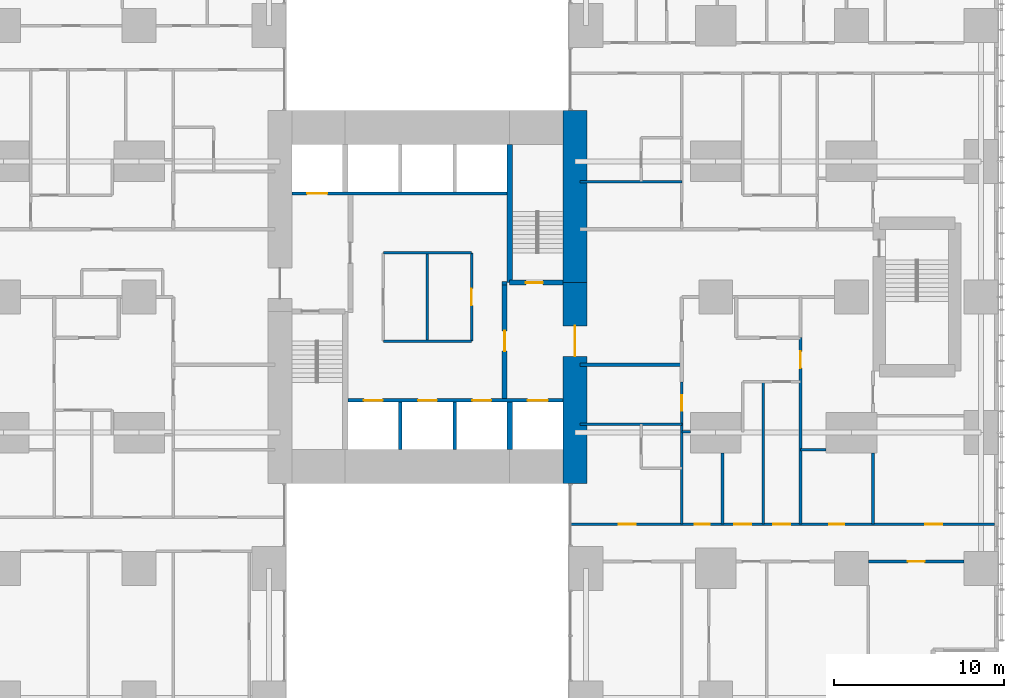
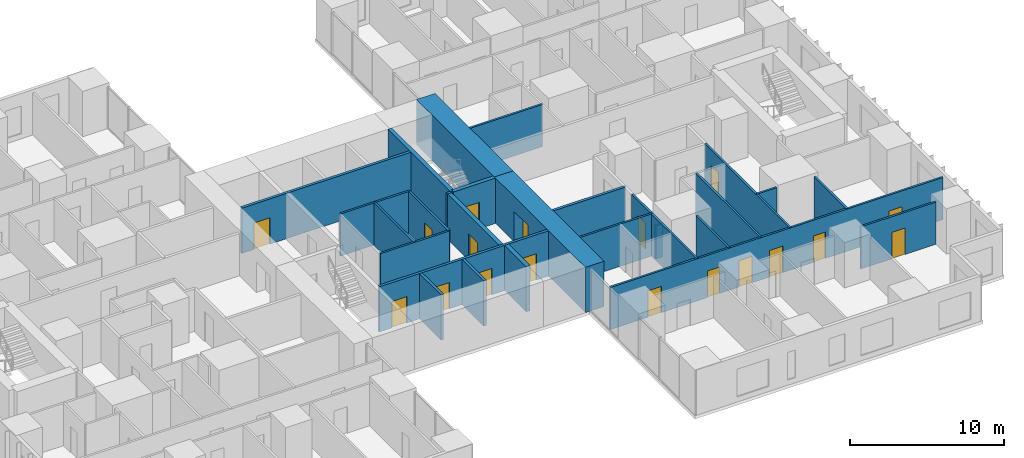
# One storey, part 15 of 20: 27 walls, 18 doors, 18 openings.
"""IFC4 building model written with IfcOpenShell, lengths in metres."""

from ifc_helpers import new_model, si_unit, direction, frame, frame_2d, origin, place, context, subcontext, project, spatial, rectangle, extrude, material, layer, layer_set, type_object, element, fill, save


model = new_model("IFC4")

# Units and contexts
model_context = context("Model", 3, precision=1e-05, world=origin(), true_north=direction((0.0, 1.0)))
body_context = subcontext(model_context, "Body", "Model", "MODEL_VIEW")
ifc_project = project(units=[si_unit("LENGTHUNIT", "METRE"), si_unit("AREAUNIT", "SQUARE_METRE"), si_unit("VOLUMEUNIT", "CUBIC_METRE"), si_unit("PLANEANGLEUNIT", "RADIAN"), si_unit("MASSUNIT", "GRAM", prefix="KILO")], contexts=[model_context])

# Site, building, storey
site_placement = place(None, origin())
site = spatial("IfcSite", under=ifc_project, at=site_placement, CompositionType="ELEMENT")
building_placement = place(site_placement, origin())
building = spatial("IfcBuilding", under=site, at=building_placement, Name="Cleftline Residences", CompositionType="ELEMENT")
storey_placement = place(building_placement, frame((0.0, 0.0, 143.0)))
storey = spatial("IfcBuildingStorey", under=building, at=storey_placement, Name="L37", CompositionType="ELEMENT", Elevation=143.0)

# Wall, opening, door
ifc_material_1 = material(Name="Concrete B70", Category="concrete")
ifc_layer_1 = layer(ifc_material_1, 1.39990234375)
ifc_layer_set_1 = layer_set([ifc_layer_1], Name="CORE WALL 1400")
wall_type_1 = type_object("IfcWallType", Name="CORE WALL 1400", PredefinedType="SHEAR", material=ifc_layer_set_1)
wall_1_placement = place(storey_placement, frame((41.699951171875, 13.0, 0.0), z_axis=(0.0, 0.0, 1.0), x_axis=(0.0, 1.0, 0.0)))
wall_1 = element("IfcWall", 1, at=wall_1_placement, inside=storey, type_object=wall_type_1, Name="Core wall E", PredefinedType="SHEAR", context=body_context, shape_type="SweptSolid", body=[
    extrude(rectangle(XDim=11.85009765625, YDim=1.39990234375, at=frame_2d((5.925048828125, 0.0))), origin(), (0.0, 0.0, 1.0), 3.60009765625),
])
opening_1_placement = place(wall_1_placement, frame((7.5, 0.0, 0.0)))
opening_1 = element("IfcOpeningElement", 2, at=opening_1_placement, cuts=wall_1, Name="Opening D7", PredefinedType="OPENING", context=body_context, shape_type="SweptSolid", body=[
    extrude(rectangle(XDim=1.800048828125, YDim=2.39990234375, at=frame_2d((0.89990234375, 1.199951171875))), frame((0.0, 0.7099609375, 0.0), z_axis=(0.0, -1.0, 0.0), x_axis=(1.0, 0.0, 0.0)), (0.0, 0.0, 1.0), 1.419921875),
])
ifc_material_2 = material(Name="Steel", Category="steel")
door_type_1 = type_object("IfcDoorType", Name="WING DOOR 1800X2400", OperationType="DOUBLE_DOOR_DOUBLE_SWING", PredefinedType="DOOR", material=ifc_material_2)
door_1_placement = place(opening_1_placement, origin())
door_1 = element("IfcDoor", 3, at=door_1_placement, inside=storey, type_object=door_type_1, Name="East wing door", OperationType="DOUBLE_DOOR_DOUBLE_SWING", OverallHeight=2.39990234375, OverallWidth=1.800048828125, PredefinedType="DOOR", context=body_context, shape_type="SweptSolid", body=[
    extrude(rectangle(XDim=1.800048828125, YDim=2.39990234375, at=frame_2d((0.89990234375, 1.199951171875))), frame((0.0, 0.02490234375, 0.0), z_axis=(0.0, -1.0, 0.0), x_axis=(1.0, 0.0, 0.0)), (0.0, 0.0, 1.0), 0.050048828125),
])
fill(opening_1, door_1)

# Walls
wall_2_placement = place(storey_placement, frame((41.699951171875, 24.85009765625, 0.0), z_axis=(0.0, 0.0, 1.0), x_axis=(0.0, 1.0, 0.0)))
element("IfcWall", 4, at=wall_2_placement, inside=storey, type_object=wall_type_1, Name="Core wall E1", PredefinedType="SHEAR", context=body_context, shape_type="SweptSolid", body=[
    extrude(rectangle(XDim=10.14990234375, YDim=1.39990234375, at=frame_2d((5.074951171875, 0.0))), origin(), (0.0, 0.0, 1.0), 3.60009765625),
])
ifc_material_3 = material(Name="Concrete B70", Category="concrete")
ifc_layer_2 = layer(ifc_material_3, 0.300048828125)
ifc_layer_set_2 = layer_set([ifc_layer_2], Name="CORE WALL 300")
wall_type_2 = type_object("IfcWallType", Name="CORE WALL 300", PredefinedType="SHEAR", material=ifc_layer_set_2)
wall_3_placement = place(storey_placement, frame((37.85009765625, 24.85009765625, 0.0), z_axis=(0.0, 0.0, 1.0), x_axis=(0.0, 1.0, 0.0)))
element("IfcWall", 5, at=wall_3_placement, inside=storey, type_object=wall_type_2, Name="Core wall SB-W", PredefinedType="SHEAR", context=body_context, shape_type="SweptSolid", body=[
    extrude(rectangle(XDim=8.14990234375, YDim=0.300048828125, at=frame_2d((4.074951171875, 0.0))), origin(), (0.0, 0.0, 1.0), 3.60009765625),
])

# Wall, opening, door
wall_4_placement = place(storey_placement, frame((37.85009765625, 24.85009765625, 0.0), z_axis=(0.0, 0.0, 1.0), x_axis=(1.0, 0.0, 0.0)))
wall_4 = element("IfcWall", 6, at=wall_4_placement, inside=storey, type_object=wall_type_2, Name="Core wall SB-S", PredefinedType="SHEAR", context=body_context, shape_type="SweptSolid", body=[
    extrude(rectangle(XDim=3.14990234375, YDim=0.300048828125, at=frame_2d((1.574951171875, 0.0))), origin(), (0.0, 0.0, 1.0), 3.60009765625),
])
opening_2_placement = place(wall_4_placement, frame((0.949951171875, 0.0, 0.0)))
opening_2 = element("IfcOpeningElement", 7, at=opening_2_placement, cuts=wall_4, Name="Opening D5", PredefinedType="OPENING", context=body_context, shape_type="SweptSolid", body=[
    extrude(rectangle(XDim=1.0, YDim=2.10009765625, at=frame_2d((0.5, 1.050048828125))), frame((0.0, 0.159912109375, 0.0), z_axis=(0.0, -1.0, 0.0), x_axis=(1.0, 0.0, 0.0)), (0.0, 0.0, 1.0), 0.320068359375),
])
ifc_material_4 = material(Name="Steel", Category="steel")
door_type_2 = type_object("IfcDoorType", Name="STAIR DOOR 1000X2100", OperationType="SINGLE_SWING_LEFT", PredefinedType="DOOR", material=ifc_material_4)
door_2_placement = place(opening_2_placement, origin())
door_2 = element("IfcDoor", 8, at=door_2_placement, inside=storey, type_object=door_type_2, Name="Stair B door", OperationType="SINGLE_SWING_RIGHT", OverallHeight=2.10009765625, OverallWidth=1.0, PredefinedType="DOOR", context=body_context, shape_type="SweptSolid", body=[
    extrude(rectangle(XDim=1.0, YDim=2.10009765625, at=frame_2d((0.5, 1.050048828125))), frame((0.0, 0.02490234375, 0.0), z_axis=(0.0, -1.0, 0.0), x_axis=(1.0, 0.0, 0.0)), (0.0, 0.0, 1.0), 0.050048828125),
])
fill(opening_2, door_2)

# Walls
wall_5_placement = place(storey_placement, frame((37.85009765625, 15.0, 0.0), z_axis=(0.0, 0.0, 1.0), x_axis=(0.0, 1.0, 0.0)))
element("IfcWall", 9, at=wall_5_placement, inside=storey, type_object=wall_type_2, Name="Lift shaft wall", PredefinedType="SHEAR", context=body_context, shape_type="SweptSolid", body=[
    extrude(rectangle(XDim=2.800048828125, YDim=0.300048828125, at=frame_2d((1.39990234375, 0.0))), origin(), (0.0, 0.0, 1.0), 3.60009765625),
])
ifc_material_5 = material(Name="Concrete blockwork, fire rated", Category="masonry")
ifc_layer_3 = layer(ifc_material_5, 0.199951171875)
ifc_layer_set_3 = layer_set([ifc_layer_3], Name="FIRE WALL 200")
wall_type_3 = type_object("IfcWallType", Name="FIRE WALL 200", PredefinedType="PARTITIONING", material=ifc_layer_set_3)
wall_6_placement = place(storey_placement, frame((42.0, 20.0, 0.0), z_axis=(0.0, 0.0, 1.0), x_axis=(1.0, 0.0, 0.0)))
element("IfcWall", 10, at=wall_6_placement, inside=storey, type_object=wall_type_3, Name="Fire separating wall", PredefinedType="PARTITIONING", context=body_context, shape_type="SweptSolid", body=[
    extrude(rectangle(XDim=6.0, YDim=0.199951171875, at=frame_2d((3.0, 0.0))), origin(), (0.0, 0.0, 1.0), 3.35009765625),
])
wall_7_placement = place(storey_placement, frame((37.39990234375, 24.800048828125, 0.0), z_axis=(0.0, 0.0, 1.0), x_axis=(1.0, 0.0, 0.0)))
element("IfcWall", 11, at=wall_7_placement, inside=storey, type_object=wall_type_3, Name="Fire separating wall", PredefinedType="PARTITIONING", context=body_context, shape_type="SweptSolid", body=[
    extrude(rectangle(XDim=0.300048828125, YDim=0.199951171875, at=frame_2d((0.14990234375, 0.0))), origin(), (0.0, 0.0, 1.0), 3.60009765625),
])

# Wall, opening, door
ifc_material_6 = material(Name="Gypsum board on steel studs", Category="steel")
ifc_layer_4 = layer(ifc_material_6, 0.14990234375)
ifc_layer_set_4 = layer_set([ifc_layer_4], Name="PARTITION 150")
wall_type_4 = type_object("IfcWallType", Name="PARTITION 150", PredefinedType="PARTITIONING", material=ifc_layer_set_4)
wall_8_placement = place(storey_placement, frame((59.0, 8.39990234375, 0.0), z_axis=(0.0, 0.0, 1.0), x_axis=(1.0, 0.0, 0.0)))
wall_8 = element("IfcWall", 12, at=wall_8_placement, inside=storey, type_object=wall_type_4, Name="Partition", PredefinedType="PARTITIONING", context=body_context, shape_type="SweptSolid", body=[
    extrude(rectangle(XDim=5.64990234375, YDim=0.14990234375, at=frame_2d((2.824951171875, 0.0))), origin(), (0.0, 0.0, 1.0), 3.35009765625),
])
opening_3_placement = place(wall_8_placement, frame((2.324951171875, 0.0, 0.0)))
opening_3 = element("IfcOpeningElement", 13, at=opening_3_placement, cuts=wall_8, Name="Opening D2", PredefinedType="OPENING", context=body_context, shape_type="SweptSolid", body=[
    extrude(rectangle(XDim=1.0, YDim=2.10009765625, at=frame_2d((0.5, 1.050048828125))), frame((0.0, 0.0849609375, 0.0), z_axis=(0.0, -1.0, 0.0), x_axis=(1.0, 0.0, 0.0)), (0.0, 0.0, 1.0), 0.169921875),
])
ifc_material_7 = material(Name="Timber veneer on solid core", Category="wood")
door_type_3 = type_object("IfcDoorType", Name="DOOR 1000X2100", OperationType="SINGLE_SWING_LEFT", PredefinedType="DOOR", material=ifc_material_7)
door_3_placement = place(opening_3_placement, origin())
door_3 = element("IfcDoor", 14, at=door_3_placement, inside=storey, type_object=door_type_3, Name="Door to music room", OperationType="SINGLE_SWING_LEFT", OverallHeight=2.10009765625, OverallWidth=1.0, PredefinedType="DOOR", context=body_context, shape_type="SweptSolid", body=[
    extrude(rectangle(XDim=1.0, YDim=2.10009765625, at=frame_2d((0.5, 1.050048828125))), frame((0.0, 0.02490234375, 0.0), z_axis=(0.0, -1.0, 0.0), x_axis=(1.0, 0.0, 0.0)), (0.0, 0.0, 1.0), 0.050048828125),
])
fill(opening_3, door_3)

# Wall, openings, doors
wall_9_placement = place(storey_placement, frame((41.43896484375, 10.60009765625, 0.0), z_axis=(0.0, 0.0, 1.0), x_axis=(1.0, 0.0, 0.0)))
wall_9 = element("IfcWall", 15, at=wall_9_placement, inside=storey, type_object=wall_type_4, Name="Partition", PredefinedType="PARTITIONING", context=body_context, shape_type="SweptSolid", body=[
    extrude(rectangle(XDim=25.010986328125, YDim=0.14990234375, at=frame_2d((12.50537109375, 0.0))), origin(), (0.0, 0.0, 1.0), 3.35009765625),
])
opening_4_placement = place(wall_9_placement, frame((11.9609375, 0.0, 0.0)))
opening_4 = element("IfcOpeningElement", 16, at=opening_4_placement, cuts=wall_9, Name="Opening D2", PredefinedType="OPENING", context=body_context, shape_type="SweptSolid", body=[
    extrude(rectangle(XDim=1.0, YDim=2.10009765625, at=frame_2d((0.5, 1.050048828125))), frame((0.0, 0.0849609375, 0.0), z_axis=(0.0, -1.0, 0.0), x_axis=(1.0, 0.0, 0.0)), (0.0, 0.0, 1.0), 0.169921875),
])
opening_5_placement = place(wall_9_placement, frame((20.923583984375, 0.0, 0.0)))
opening_5 = element("IfcOpeningElement", 17, at=opening_5_placement, cuts=wall_9, Name="Opening D2", PredefinedType="OPENING", context=body_context, shape_type="SweptSolid", body=[
    extrude(rectangle(XDim=1.0, YDim=2.10009765625, at=frame_2d((0.5, 1.050048828125))), frame((0.0, 0.0849609375, 0.0), z_axis=(0.0, -1.0, 0.0), x_axis=(1.0, 0.0, 0.0)), (0.0, 0.0, 1.0), 0.169921875),
])
opening_6_placement = place(wall_9_placement, frame((15.24853515625, 0.0, 0.0)))
opening_6 = element("IfcOpeningElement", 18, at=opening_6_placement, cuts=wall_9, Name="Opening D1", PredefinedType="OPENING", context=body_context, shape_type="SweptSolid", body=[
    extrude(rectangle(XDim=0.89990234375, YDim=2.10009765625, at=frame_2d((0.449951171875, 1.050048828125))), frame((0.0, 0.0849609375, 0.0), z_axis=(0.0, -1.0, 0.0), x_axis=(1.0, 0.0, 0.0)), (0.0, 0.0, 1.0), 0.169921875),
])
opening_7_placement = place(wall_9_placement, frame((9.660888671875, 0.0, 0.0)))
opening_7 = element("IfcOpeningElement", 19, at=opening_7_placement, cuts=wall_9, Name="Opening D2", PredefinedType="OPENING", context=body_context, shape_type="SweptSolid", body=[
    extrude(rectangle(XDim=1.0, YDim=2.10009765625, at=frame_2d((0.5, 1.050048828125))), frame((0.0, 0.0849609375, 0.0), z_axis=(0.0, -1.0, 0.0), x_axis=(1.0, 0.0, 0.0)), (0.0, 0.0, 1.0), 0.169921875),
])
opening_8_placement = place(wall_9_placement, frame((7.31103515625, 0.0, 0.0)))
opening_8 = element("IfcOpeningElement", 20, at=opening_8_placement, cuts=wall_9, Name="Opening D1", PredefinedType="OPENING", context=body_context, shape_type="SweptSolid", body=[
    extrude(rectangle(XDim=0.89990234375, YDim=2.10009765625, at=frame_2d((0.449951171875, 1.050048828125))), frame((0.0, 0.0849609375, 0.0), z_axis=(0.0, -1.0, 0.0), x_axis=(1.0, 0.0, 0.0)), (0.0, 0.0, 1.0), 0.169921875),
])
opening_9_placement = place(wall_9_placement, frame((2.8359375, 0.0, 0.0)))
opening_9 = element("IfcOpeningElement", 21, at=opening_9_placement, cuts=wall_9, Name="Opening D2", PredefinedType="OPENING", context=body_context, shape_type="SweptSolid", body=[
    extrude(rectangle(XDim=1.0, YDim=2.10009765625, at=frame_2d((0.5, 1.050048828125))), frame((0.0, 0.0849609375, 0.0), z_axis=(0.0, -1.0, 0.0), x_axis=(1.0, 0.0, 0.0)), (0.0, 0.0, 1.0), 0.169921875),
])
door_4_placement = place(opening_4_placement, origin())
door_4 = element("IfcDoor", 22, at=door_4_placement, inside=storey, type_object=door_type_3, Name="Door to residence hall", OperationType="SINGLE_SWING_RIGHT", OverallHeight=2.10009765625, OverallWidth=1.0, PredefinedType="DOOR", context=body_context, shape_type="SweptSolid", body=[
    extrude(rectangle(XDim=1.0, YDim=2.10009765625, at=frame_2d((0.5, 1.050048828125))), frame((0.0, 0.02490234375, 0.0), z_axis=(0.0, -1.0, 0.0), x_axis=(1.0, 0.0, 0.0)), (0.0, 0.0, 1.0), 0.050048828125),
])
fill(opening_4, door_4)
door_5_placement = place(opening_5_placement, origin())
door_5 = element("IfcDoor", 23, at=door_5_placement, inside=storey, type_object=door_type_3, Name="Door to sea-view great room", OperationType="SINGLE_SWING_LEFT", OverallHeight=2.10009765625, OverallWidth=1.0, PredefinedType="DOOR", context=body_context, shape_type="SweptSolid", body=[
    extrude(rectangle(XDim=1.0, YDim=2.10009765625, at=frame_2d((0.5, 1.050048828125))), frame((0.0, 0.02490234375, 0.0), z_axis=(0.0, -1.0, 0.0), x_axis=(1.0, 0.0, 0.0)), (0.0, 0.0, 1.0), 0.050048828125),
])
fill(opening_5, door_5)
door_6_placement = place(opening_7_placement, origin())
door_6 = element("IfcDoor", 24, at=door_6_placement, inside=storey, type_object=door_type_3, Name="Door to wet kitchen", OperationType="SINGLE_SWING_RIGHT", OverallHeight=2.10009765625, OverallWidth=1.0, PredefinedType="DOOR", context=body_context, shape_type="SweptSolid", body=[
    extrude(rectangle(XDim=1.0, YDim=2.10009765625, at=frame_2d((0.5, 1.050048828125))), frame((0.0, 0.02490234375, 0.0), z_axis=(0.0, -1.0, 0.0), x_axis=(1.0, 0.0, 0.0)), (0.0, 0.0, 1.0), 0.050048828125),
])
fill(opening_7, door_6)
door_7_placement = place(opening_9_placement, origin())
door_7 = element("IfcDoor", 25, at=door_7_placement, inside=storey, type_object=door_type_3, Name="Door to staff bedroom", OperationType="SINGLE_SWING_RIGHT", OverallHeight=2.10009765625, OverallWidth=1.0, PredefinedType="DOOR", context=body_context, shape_type="SweptSolid", body=[
    extrude(rectangle(XDim=1.0, YDim=2.10009765625, at=frame_2d((0.5, 1.050048828125))), frame((0.0, 0.02490234375, 0.0), z_axis=(0.0, -1.0, 0.0), x_axis=(1.0, 0.0, 0.0)), (0.0, 0.0, 1.0), 0.050048828125),
])
fill(opening_9, door_7)
ifc_material_8 = material(Name="Timber veneer on solid core", Category="wood")
door_type_4 = type_object("IfcDoorType", Name="DOOR 900X2100", OperationType="SINGLE_SWING_LEFT", PredefinedType="DOOR", material=ifc_material_8)
door_8_placement = place(opening_6_placement, origin())
door_8 = element("IfcDoor", 26, at=door_8_placement, inside=storey, type_object=door_type_4, Name="Door to wine room", OperationType="SINGLE_SWING_LEFT", OverallHeight=2.10009765625, OverallWidth=0.89990234375, PredefinedType="DOOR", context=body_context, shape_type="SweptSolid", body=[
    extrude(rectangle(XDim=0.89990234375, YDim=2.10009765625, at=frame_2d((0.449951171875, 1.050048828125))), frame((0.0, 0.02490234375, 0.0), z_axis=(0.0, -1.0, 0.0), x_axis=(1.0, 0.0, 0.0)), (0.0, 0.0, 1.0), 0.050048828125),
])
fill(opening_6, door_8)
door_9_placement = place(opening_8_placement, origin())
door_9 = element("IfcDoor", 27, at=door_9_placement, inside=storey, type_object=door_type_4, Name="Door to pantry", OperationType="SINGLE_SWING_RIGHT", OverallHeight=2.10009765625, OverallWidth=0.89990234375, PredefinedType="DOOR", context=body_context, shape_type="SweptSolid", body=[
    extrude(rectangle(XDim=0.89990234375, YDim=2.10009765625, at=frame_2d((0.449951171875, 1.050048828125))), frame((0.0, 0.02490234375, 0.0), z_axis=(0.0, -1.0, 0.0), x_axis=(1.0, 0.0, 0.0)), (0.0, 0.0, 1.0), 0.050048828125),
])
fill(opening_8, door_9)

# Walls
wall_10_placement = place(storey_placement, frame((55.0, 15.0, 0.0), z_axis=(0.0, 0.0, 1.0), x_axis=(1.0, 0.0, 0.0)))
element("IfcWall", 28, at=wall_10_placement, inside=storey, type_object=wall_type_4, Name="Partition", PredefinedType="PARTITIONING", context=body_context, shape_type="SweptSolid", body=[
    extrude(rectangle(XDim=1.5, YDim=0.14990234375, at=frame_2d((0.75, 0.0))), origin(), (0.0, 0.0, 1.0), 3.35009765625),
])
wall_11_placement = place(storey_placement, frame((48.0, 16.050048828125, 0.0), z_axis=(0.0, 0.0, 1.0), x_axis=(1.0, 0.0, 0.0)))
element("IfcWall", 29, at=wall_11_placement, inside=storey, type_object=wall_type_4, Name="Partition", PredefinedType="PARTITIONING", context=body_context, shape_type="SweptSolid", body=[
    extrude(rectangle(XDim=0.5, YDim=0.14990234375, at=frame_2d((0.25, 0.0))), origin(), (0.0, 0.0, 1.0), 2.634033203125),
])
for number, where, z_axis, x_axis, name in (
    (30, (42.0, 16.5, 0.0), (0.0, 0.0, 1.0), (1.0, 0.0, 0.0), "Partition"),
    (31, (42.0, 30.800048828125, 0.0), (0.0, 0.0, 1.0), (1.0, 0.0, 0.0), "Partition"),
):
    element("IfcWall", number, at=place(storey_placement, frame(where, z_axis=z_axis, x_axis=x_axis)), inside=storey, type_object=wall_type_4, Name=name, PredefinedType="PARTITIONING", context=body_context, shape_type="SweptSolid", body=[
        extrude(rectangle(XDim=6.0, YDim=0.14990234375, at=frame_2d((3.0, 0.0))), origin(), (0.0, 0.0, 1.0), 3.35009765625),
    ])

# Wall, opening, door
wall_12_placement = place(storey_placement, frame((48.0, 10.60009765625, 0.0), z_axis=(0.0, 0.0, 1.0), x_axis=(0.0, 1.0, 0.0)))
wall_12 = element("IfcWall", 32, at=wall_12_placement, inside=storey, type_object=wall_type_4, Name="Partition", PredefinedType="PARTITIONING", context=body_context, shape_type="SweptSolid", body=[
    extrude(rectangle(XDim=8.39990234375, YDim=0.14990234375, at=frame_2d((4.199951171875, 0.0))), origin(), (0.0, 0.0, 1.0), 3.35009765625),
])
opening_10_placement = place(wall_12_placement, frame((6.699951171875, 0.0, 0.0)))
opening_10 = element("IfcOpeningElement", 33, at=opening_10_placement, cuts=wall_12, Name="Opening D1", PredefinedType="OPENING", context=body_context, shape_type="SweptSolid", body=[
    extrude(rectangle(XDim=0.89990234375, YDim=2.10009765625, at=frame_2d((0.449951171875, 1.050048828125))), frame((0.0, 0.0849609375, 0.0), z_axis=(0.0, -1.0, 0.0), x_axis=(1.0, 0.0, 0.0)), (0.0, 0.0, 1.0), 0.169921875),
])
door_10_placement = place(opening_10_placement, origin())
door_10 = element("IfcDoor", 34, at=door_10_placement, inside=storey, type_object=door_type_4, Name="Door to drying loggia", OperationType="SINGLE_SWING_LEFT", OverallHeight=2.10009765625, OverallWidth=0.89990234375, PredefinedType="DOOR", context=body_context, shape_type="SweptSolid", body=[
    extrude(rectangle(XDim=0.89990234375, YDim=2.10009765625, at=frame_2d((0.449951171875, 1.050048828125))), frame((0.0, 0.02490234375, 0.0), z_axis=(0.0, -1.0, 0.0), x_axis=(1.0, 0.0, 0.0)), (0.0, 0.0, 1.0), 0.050048828125),
])
fill(opening_10, door_10)

# Walls
wall_13_placement = place(storey_placement, frame((50.39990234375, 10.60009765625, 0.0), z_axis=(0.0, 0.0, 1.0), x_axis=(0.0, 1.0, 0.0)))
element("IfcWall", 35, at=wall_13_placement, inside=storey, type_object=wall_type_4, Name="Partition", PredefinedType="PARTITIONING", context=body_context, shape_type="SweptSolid", body=[
    extrude(rectangle(XDim=4.199951171875, YDim=0.14990234375, at=frame_2d((2.10009765625, 0.0))), origin(), (0.0, 0.0, 1.0), 3.35009765625),
])
wall_14_placement = place(storey_placement, frame((52.800048828125, 10.60009765625, 0.0), z_axis=(0.0, 0.0, 1.0), x_axis=(0.0, 1.0, 0.0)))
element("IfcWall", 36, at=wall_14_placement, inside=storey, type_object=wall_type_4, Name="Partition", PredefinedType="PARTITIONING", context=body_context, shape_type="SweptSolid", body=[
    extrude(rectangle(XDim=8.39990234375, YDim=0.14990234375, at=frame_2d((4.199951171875, 0.0))), origin(), (0.0, 0.0, 1.0), 3.35009765625),
])

# Wall, opening, door
wall_15_placement = place(storey_placement, frame((55.0, 10.60009765625, 0.0), z_axis=(0.0, 0.0, 1.0), x_axis=(0.0, 1.0, 0.0)))
wall_15 = element("IfcWall", 37, at=wall_15_placement, inside=storey, type_object=wall_type_4, Name="Partition", PredefinedType="PARTITIONING", context=body_context, shape_type="SweptSolid", body=[
    extrude(rectangle(XDim=11.0, YDim=0.14990234375, at=frame_2d((5.5, 0.0))), origin(), (0.0, 0.0, 1.0), 3.35009765625),
])
opening_11_placement = place(wall_15_placement, frame((9.199951171875, 0.0, 0.0)))
opening_11 = element("IfcOpeningElement", 38, at=opening_11_placement, cuts=wall_15, Name="Opening D2F30", PredefinedType="OPENING", context=body_context, shape_type="SweptSolid", body=[
    extrude(rectangle(XDim=1.0, YDim=2.10009765625, at=frame_2d((0.5, 1.050048828125))), frame((0.0, 0.0849609375, 0.0), z_axis=(0.0, -1.0, 0.0), x_axis=(1.0, 0.0, 0.0)), (0.0, 0.0, 1.0), 0.169921875),
])
ifc_material_9 = material(Name="Timber veneer on solid core", Category="wood")
door_type_5 = type_object("IfcDoorType", Name="DOOR 1000X2100 EI 30", OperationType="SINGLE_SWING_LEFT", PredefinedType="DOOR", material=ifc_material_9)
door_11_placement = place(opening_11_placement, origin())
door_11 = element("IfcDoor", 39, at=door_11_placement, inside=storey, type_object=door_type_5, Name="Door to residence lobby", OperationType="SINGLE_SWING_LEFT", OverallHeight=2.10009765625, OverallWidth=1.0, PredefinedType="DOOR", context=body_context, shape_type="SweptSolid", body=[
    extrude(rectangle(XDim=1.0, YDim=2.10009765625, at=frame_2d((0.5, 1.050048828125))), frame((0.0, 0.02490234375, 0.0), z_axis=(0.0, -1.0, 0.0), x_axis=(1.0, 0.0, 0.0)), (0.0, 0.0, 1.0), 0.050048828125),
])
fill(opening_11, door_11)

# Walls
wall_16_placement = place(storey_placement, frame((59.27490234375, 10.60009765625, 0.0), z_axis=(0.0, 0.0, 1.0), x_axis=(0.0, 1.0, 0.0)))
element("IfcWall", 40, at=wall_16_placement, inside=storey, type_object=wall_type_4, Name="Partition", PredefinedType="PARTITIONING", context=body_context, shape_type="SweptSolid", body=[
    extrude(rectangle(XDim=4.199951171875, YDim=0.14990234375, at=frame_2d((2.10009765625, 0.0))), origin(), (0.0, 0.0, 1.0), 3.35009765625),
])
ifc_material_10 = material(Name="Fire-resisting gypsum board on steel studs", Category="steel")
ifc_layer_5 = layer(ifc_material_10, 0.14990234375)
ifc_layer_set_5 = layer_set([ifc_layer_5], Name="PARTITION 150 EI 60")
wall_type_5 = type_object("IfcWallType", Name="PARTITION 150 EI 60", PredefinedType="PARTITIONING", material=ifc_layer_set_5)
for number, where, z_axis, x_axis, name in (
    (41, (30.39990234375, 21.39990234375, 0.0), (0.0, 0.0, 1.0), (1.0, 0.0, 0.0), "Core room partition"),
    (42, (30.39990234375, 26.60009765625, 0.0), (0.0, 0.0, 1.0), (1.0, 0.0, 0.0), "Core room partition"),
):
    element("IfcWall", number, at=place(storey_placement, frame(where, z_axis=z_axis, x_axis=x_axis)), inside=storey, type_object=wall_type_5, Name=name, PredefinedType="PARTITIONING", context=body_context, shape_type="SweptSolid", body=[
        extrude(rectangle(XDim=5.2001953125, YDim=0.14990234375, at=frame_2d((2.60009765625, 0.0))), origin(), (0.0, 0.0, 1.0), 3.35009765625),
    ])

# Wall, opening, door
wall_17_placement = place(storey_placement, frame((35.60009765625, 21.39990234375, 0.0), z_axis=(0.0, 0.0, 1.0), x_axis=(0.0, 1.0, 0.0)))
wall_17 = element("IfcWall", 43, at=wall_17_placement, inside=storey, type_object=wall_type_5, Name="Core room partition", PredefinedType="PARTITIONING", context=body_context, shape_type="SweptSolid", body=[
    extrude(rectangle(XDim=5.2001953125, YDim=0.14990234375, at=frame_2d((2.60009765625, 0.0))), origin(), (0.0, 0.0, 1.0), 3.35009765625),
])
opening_12_placement = place(wall_17_placement, frame((2.10009765625, 0.0, 0.0)))
opening_12 = element("IfcOpeningElement", 44, at=opening_12_placement, cuts=wall_17, Name="Opening D2F60", PredefinedType="OPENING", context=body_context, shape_type="SweptSolid", body=[
    extrude(rectangle(XDim=1.0, YDim=2.10009765625, at=frame_2d((0.5, 1.050048828125))), frame((0.0, 0.0849609375, 0.0), z_axis=(0.0, -1.0, 0.0), x_axis=(1.0, 0.0, 0.0)), (0.0, 0.0, 1.0), 0.169921875),
])
ifc_material_11 = material(Name="Timber veneer on solid core", Category="wood")
door_type_6 = type_object("IfcDoorType", Name="DOOR 1000X2100 EI 60", OperationType="SINGLE_SWING_LEFT", PredefinedType="DOOR", material=ifc_material_11)
door_12_placement = place(opening_12_placement, origin())
door_12 = element("IfcDoor", 45, at=door_12_placement, inside=storey, type_object=door_type_6, Name="Door to communications room", OperationType="SINGLE_SWING_LEFT", OverallHeight=2.10009765625, OverallWidth=1.0, PredefinedType="DOOR", context=body_context, shape_type="SweptSolid", body=[
    extrude(rectangle(XDim=1.0, YDim=2.10009765625, at=frame_2d((0.5, 1.050048828125))), frame((0.0, 0.02490234375, 0.0), z_axis=(0.0, -1.0, 0.0), x_axis=(1.0, 0.0, 0.0)), (0.0, 0.0, 1.0), 0.050048828125),
])
fill(opening_12, door_12)

# Wall
wall_18_placement = place(storey_placement, frame((33.0, 21.39990234375, 0.0), z_axis=(0.0, 0.0, 1.0), x_axis=(0.0, 1.0, 0.0)))
element("IfcWall", 46, at=wall_18_placement, inside=storey, type_object=wall_type_5, Name="Core room partition", PredefinedType="PARTITIONING", context=body_context, shape_type="SweptSolid", body=[
    extrude(rectangle(XDim=5.2001953125, YDim=0.14990234375, at=frame_2d((2.60009765625, 0.0))), origin(), (0.0, 0.0, 1.0), 3.35009765625),
])

# Wall, openings, doors
ifc_material_12 = material(Name="Concrete blockwork, fire rated", Category="masonry")
ifc_layer_6 = layer(ifc_material_12, 0.199951171875)
ifc_layer_set_6 = layer_set([ifc_layer_6], Name="SHAFT WALL 200")
wall_type_6 = type_object("IfcWallType", Name="SHAFT WALL 200", PredefinedType="PARTITIONING", material=ifc_layer_set_6)
wall_19_placement = place(storey_placement, frame((28.300048828125, 17.89990234375, 0.0), z_axis=(0.0, 0.0, 1.0), x_axis=(1.0, 0.0, 0.0)))
wall_19 = element("IfcWall", 47, at=wall_19_placement, inside=storey, type_object=wall_type_6, Name="Lift shaft wall", PredefinedType="PARTITIONING", context=body_context, shape_type="SweptSolid", body=[
    extrude(rectangle(XDim=12.699951171875, YDim=0.199951171875, at=frame_2d((6.35009765625, 0.0))), origin(), (0.0, 0.0, 1.0), 3.60009765625),
])
opening_13_placement = place(wall_19_placement, frame((0.949951171875, 0.0, 0.0)))
opening_13 = element("IfcOpeningElement", 48, at=opening_13_placement, cuts=wall_19, Name="Opening LD1", PredefinedType="OPENING", context=body_context, shape_type="SweptSolid", body=[
    extrude(rectangle(XDim=1.10009765625, YDim=2.10009765625, at=frame_2d((0.550048828125, 1.050048828125))), frame((0.0, 0.10986328125, 0.0), z_axis=(0.0, -1.0, 0.0), x_axis=(1.0, 0.0, 0.0)), (0.0, 0.0, 1.0), 0.219970703125),
])
opening_14_placement = place(wall_19_placement, frame((4.14990234375, 0.0, 0.0)))
opening_14 = element("IfcOpeningElement", 49, at=opening_14_placement, cuts=wall_19, Name="Opening LD1", PredefinedType="OPENING", context=body_context, shape_type="SweptSolid", body=[
    extrude(rectangle(XDim=1.10009765625, YDim=2.10009765625, at=frame_2d((0.550048828125, 1.050048828125))), frame((0.0, 0.10986328125, 0.0), z_axis=(0.0, -1.0, 0.0), x_axis=(1.0, 0.0, 0.0)), (0.0, 0.0, 1.0), 0.219970703125),
])
opening_15_placement = place(wall_19_placement, frame((7.35009765625, 0.0, 0.0)))
opening_15 = element("IfcOpeningElement", 50, at=opening_15_placement, cuts=wall_19, Name="Opening LD1", PredefinedType="OPENING", context=body_context, shape_type="SweptSolid", body=[
    extrude(rectangle(XDim=1.10009765625, YDim=2.10009765625, at=frame_2d((0.550048828125, 1.050048828125))), frame((0.0, 0.10986328125, 0.0), z_axis=(0.0, -1.0, 0.0), x_axis=(1.0, 0.0, 0.0)), (0.0, 0.0, 1.0), 0.219970703125),
])
opening_16_placement = place(wall_19_placement, frame((10.60009765625, 0.0, 0.0)))
opening_16 = element("IfcOpeningElement", 51, at=opening_16_placement, cuts=wall_19, Name="Opening LD2", PredefinedType="OPENING", context=body_context, shape_type="SweptSolid", body=[
    extrude(rectangle(XDim=1.199951171875, YDim=2.10009765625, at=frame_2d((0.60009765625, 1.050048828125))), frame((0.0, 0.10986328125, 0.0), z_axis=(0.0, -1.0, 0.0), x_axis=(1.0, 0.0, 0.0)), (0.0, 0.0, 1.0), 0.219970703125),
])
ifc_material_13 = material(Name="Steel", Category="steel")
door_type_7 = type_object("IfcDoorType", Name="FIREFIGHTING LIFT LANDING DOOR 1200X2100", OperationType="SLIDING_TO_LEFT", PredefinedType="DOOR", material=ifc_material_13)
door_13_placement = place(opening_16_placement, origin())
door_13 = element("IfcDoor", 52, at=door_13_placement, inside=storey, type_object=door_type_7, Name="Lift FL2 landing door", OperationType="SLIDING_TO_LEFT", OverallHeight=2.10009765625, OverallWidth=1.199951171875, PredefinedType="DOOR", context=body_context, shape_type="SweptSolid", body=[
    extrude(rectangle(XDim=1.199951171875, YDim=2.10009765625, at=frame_2d((0.60009765625, 1.050048828125))), frame((0.0, 0.02490234375, 0.0), z_axis=(0.0, -1.0, 0.0), x_axis=(1.0, 0.0, 0.0)), (0.0, 0.0, 1.0), 0.050048828125),
])
fill(opening_16, door_13)
ifc_material_14 = material(Name="Steel", Category="steel")
door_type_8 = type_object("IfcDoorType", Name="LIFT LANDING DOOR 1100X2100", OperationType="SLIDING_TO_LEFT", PredefinedType="DOOR", material=ifc_material_14)
door_14_placement = place(opening_13_placement, origin())
door_14 = element("IfcDoor", 53, at=door_14_placement, inside=storey, type_object=door_type_8, Name="Lift P1 landing door", OperationType="SLIDING_TO_LEFT", OverallHeight=2.10009765625, OverallWidth=1.10009765625, PredefinedType="DOOR", context=body_context, shape_type="SweptSolid", body=[
    extrude(rectangle(XDim=1.10009765625, YDim=2.10009765625, at=frame_2d((0.550048828125, 1.050048828125))), frame((0.0, 0.02490234375, 0.0), z_axis=(0.0, -1.0, 0.0), x_axis=(1.0, 0.0, 0.0)), (0.0, 0.0, 1.0), 0.050048828125),
])
fill(opening_13, door_14)
door_15_placement = place(opening_14_placement, origin())
door_15 = element("IfcDoor", 54, at=door_15_placement, inside=storey, type_object=door_type_8, Name="Lift P2 landing door", OperationType="SLIDING_TO_LEFT", OverallHeight=2.10009765625, OverallWidth=1.10009765625, PredefinedType="DOOR", context=body_context, shape_type="SweptSolid", body=[
    extrude(rectangle(XDim=1.10009765625, YDim=2.10009765625, at=frame_2d((0.550048828125, 1.050048828125))), frame((0.0, 0.02490234375, 0.0), z_axis=(0.0, -1.0, 0.0), x_axis=(1.0, 0.0, 0.0)), (0.0, 0.0, 1.0), 0.050048828125),
])
fill(opening_14, door_15)
door_16_placement = place(opening_15_placement, origin())
door_16 = element("IfcDoor", 55, at=door_16_placement, inside=storey, type_object=door_type_8, Name="Lift P3 landing door", OperationType="SLIDING_TO_LEFT", OverallHeight=2.10009765625, OverallWidth=1.10009765625, PredefinedType="DOOR", context=body_context, shape_type="SweptSolid", body=[
    extrude(rectangle(XDim=1.10009765625, YDim=2.10009765625, at=frame_2d((0.550048828125, 1.050048828125))), frame((0.0, 0.02490234375, 0.0), z_axis=(0.0, -1.0, 0.0), x_axis=(1.0, 0.0, 0.0)), (0.0, 0.0, 1.0), 0.050048828125),
])
fill(opening_15, door_16)

# Wall, opening, door
wall_20_placement = place(storey_placement, frame((25.0, 30.10009765625, 0.0), z_axis=(0.0, 0.0, 1.0), x_axis=(1.0, 0.0, 0.0)))
wall_20 = element("IfcWall", 56, at=wall_20_placement, inside=storey, type_object=wall_type_6, Name="Lift shaft wall", PredefinedType="PARTITIONING", context=body_context, shape_type="SweptSolid", body=[
    extrude(rectangle(XDim=12.699951171875, YDim=0.199951171875, at=frame_2d((6.35009765625, 0.0))), origin(), (0.0, 0.0, 1.0), 3.60009765625),
])
opening_17_placement = place(wall_20_placement, frame((0.89990234375, 0.0, 0.0)))
opening_17 = element("IfcOpeningElement", 57, at=opening_17_placement, cuts=wall_20, Name="Opening LD2", PredefinedType="OPENING", context=body_context, shape_type="SweptSolid", body=[
    extrude(rectangle(XDim=1.199951171875, YDim=2.10009765625, at=frame_2d((0.60009765625, 1.050048828125))), frame((0.0, 0.10986328125, 0.0), z_axis=(0.0, -1.0, 0.0), x_axis=(1.0, 0.0, 0.0)), (0.0, 0.0, 1.0), 0.219970703125),
])
door_17_placement = place(opening_17_placement, origin())
door_17 = element("IfcDoor", 58, at=door_17_placement, inside=storey, type_object=door_type_7, Name="Lift FL1 landing door", OperationType="SLIDING_TO_LEFT", OverallHeight=2.10009765625, OverallWidth=1.199951171875, PredefinedType="DOOR", context=body_context, shape_type="SweptSolid", body=[
    extrude(rectangle(XDim=1.199951171875, YDim=2.10009765625, at=frame_2d((0.60009765625, 1.050048828125))), frame((0.0, 0.02490234375, 0.0), z_axis=(0.0, -1.0, 0.0), x_axis=(1.0, 0.0, 0.0)), (0.0, 0.0, 1.0), 0.050048828125),
])
fill(opening_17, door_17)

# Walls
for number, where, z_axis, x_axis, name in (
    (59, (31.39990234375, 15.0, 0.0), (0.0, 0.0, 1.0), (0.0, 1.0, 0.0), "Lift shaft wall"),
    (60, (34.60009765625, 15.0, 0.0), (0.0, 0.0, 1.0), (0.0, 1.0, 0.0), "Lift shaft wall"),
):
    element("IfcWall", number, at=place(storey_placement, frame(where, z_axis=z_axis, x_axis=x_axis)), inside=storey, type_object=wall_type_6, Name=name, PredefinedType="PARTITIONING", context=body_context, shape_type="SweptSolid", body=[
        extrude(rectangle(XDim=2.800048828125, YDim=0.199951171875, at=frame_2d((1.39990234375, 0.0))), origin(), (0.0, 0.0, 1.0), 3.60009765625),
    ])

# Wall, opening, door
ifc_material_15 = material(Name="Concrete blockwork, fire rated", Category="masonry")
ifc_layer_7 = layer(ifc_material_15, 0.300048828125)
ifc_layer_set_7 = layer_set([ifc_layer_7], Name="STAIR LOBBY WALL 300")
wall_type_7 = type_object("IfcWallType", Name="STAIR LOBBY WALL 300", PredefinedType="PARTITIONING", material=ifc_layer_set_7)
wall_21_placement = place(storey_placement, frame((37.550048828125, 18.0, 0.0), z_axis=(0.0, 0.0, 1.0), x_axis=(0.0, 1.0, 0.0)))
wall_21 = element("IfcWall", 61, at=wall_21_placement, inside=storey, type_object=wall_type_7, Name="Stair and lobby wall FB-W", PredefinedType="PARTITIONING", context=body_context, shape_type="SweptSolid", body=[
    extrude(rectangle(XDim=6.699951171875, YDim=0.300048828125, at=frame_2d((3.35009765625, 0.0))), origin(), (0.0, 0.0, 1.0), 3.60009765625),
])
opening_18_placement = place(wall_21_placement, frame((2.800048828125, 0.0, 0.0)))
opening_18 = element("IfcOpeningElement", 62, at=opening_18_placement, cuts=wall_21, Name="Opening D6", PredefinedType="OPENING", context=body_context, shape_type="SweptSolid", body=[
    extrude(rectangle(XDim=1.199951171875, YDim=2.10009765625, at=frame_2d((0.60009765625, 1.050048828125))), frame((0.0, 0.159912109375, 0.0), z_axis=(0.0, -1.0, 0.0), x_axis=(1.0, 0.0, 0.0)), (0.0, 0.0, 1.0), 0.320068359375),
])
ifc_material_16 = material(Name="Steel", Category="steel")
door_type_9 = type_object("IfcDoorType", Name="LOBBY DOOR 1200X2100", OperationType="SINGLE_SWING_RIGHT", PredefinedType="DOOR", material=ifc_material_16)
door_18_placement = place(opening_18_placement, origin())
door_18 = element("IfcDoor", 63, at=door_18_placement, inside=storey, type_object=door_type_9, Name="Firefighting lobby B door", OperationType="SINGLE_SWING_LEFT", OverallHeight=2.10009765625, OverallWidth=1.199951171875, PredefinedType="DOOR", context=body_context, shape_type="SweptSolid", body=[
    extrude(rectangle(XDim=1.199951171875, YDim=2.10009765625, at=frame_2d((0.60009765625, 1.050048828125))), frame((0.0, 0.02490234375, 0.0), z_axis=(0.0, -1.0, 0.0), x_axis=(1.0, 0.0, 0.0)), (0.0, 0.0, 1.0), 0.050048828125),
])
fill(opening_18, door_18)

save(model, "model.ifc")
